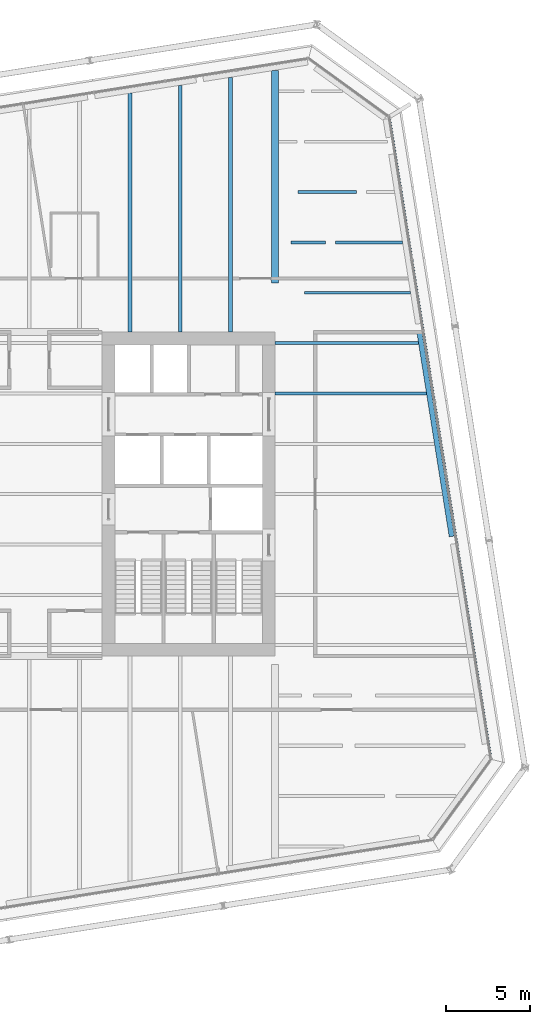
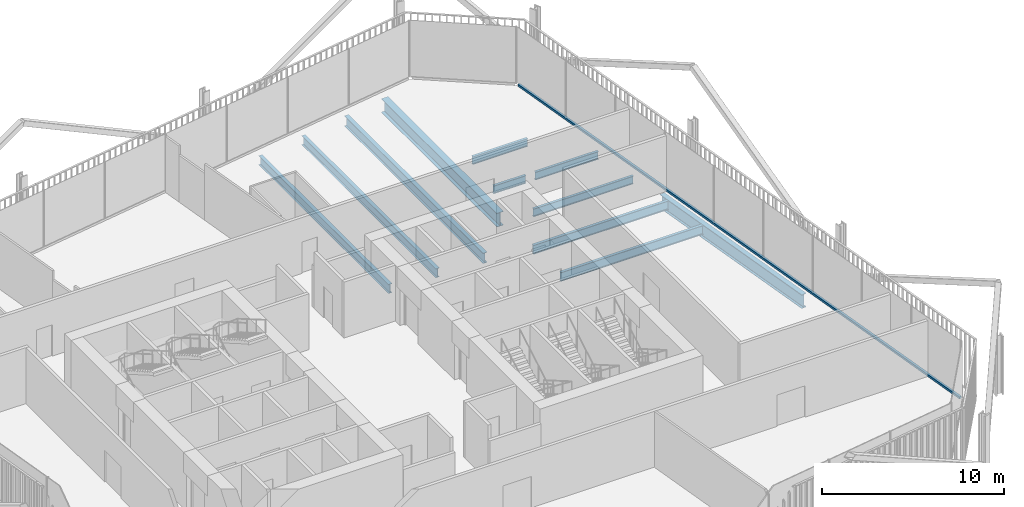
# One storey, part 11 of 19: 11 beams, 1 member, 1 element without a shape of its own.
"""IFC4 building model written with IfcOpenShell, lengths in metres."""

from ifc_helpers import new_model, si_unit, direction, frame, origin, origin_2d, place, context, subcontext, project, spatial, rectangle, i_section, extrude, material, layer, layer_set, material_profile, profile_set, type_object, element, aggregate, save


model = new_model("IFC4")

# Units and contexts
model_context = context("Model", 3, precision=1e-05, world=origin(), true_north=direction((0.0, 1.0)))
body_context = subcontext(model_context, "Body", "Model", "MODEL_VIEW")
ifc_project = project(units=[si_unit("LENGTHUNIT", "METRE"), si_unit("AREAUNIT", "SQUARE_METRE"), si_unit("VOLUMEUNIT", "CUBIC_METRE"), si_unit("PLANEANGLEUNIT", "RADIAN"), si_unit("MASSUNIT", "GRAM", prefix="KILO")], contexts=[model_context])

# Site, building, storey
site_placement = place(None, origin())
site = spatial("IfcSite", under=ifc_project, at=site_placement, CompositionType="ELEMENT")
building_placement = place(site_placement, origin())
building = spatial("IfcBuilding", under=site, at=building_placement, Name="Millrace Tower", CompositionType="ELEMENT")
storey_placement = place(building_placement, frame((0.0, 0.0, 129.5)))
storey = spatial("IfcBuildingStorey", under=building, at=storey_placement, Name="L28", CompositionType="ELEMENT", Elevation=129.5)

# Curtain wall, member
ifc_material_1 = material(Name="Aluminium and glass", Category="aluminium")
ifc_layer = layer(ifc_material_1, 0.14990234375)
ifc_layer_set = layer_set([ifc_layer], Name="Aluminium and glass")
curtain_wall_type = type_object("IfcCurtainWallType", Name="CW-1 office vision curtain wall", PredefinedType="NOTDEFINED", material=ifc_layer_set)
curtain_wall_placement = place(storey_placement, origin())
curtain_wall = element("IfcCurtainWall", 1, at=curtain_wall_placement, inside=storey, type_object=curtain_wall_type, Name="Curtain wall C-F04 L28", PredefinedType="NOTDEFINED")
ifc_material_2 = material(Name="Aluminium", Category="aluminium")
ifc_material_profile_1 = material_profile(ifc_material_2, rectangle(XDim=0.14990234375, YDim=0.139892578125, at=origin_2d()))
ifc_profile_set_1 = profile_set([ifc_material_profile_1], Name="Aluminium")
member_type = type_object("IfcMemberType", Name="CW-1 office vision curtain wall transom", PredefinedType="USERDEFINED", material=ifc_profile_set_1)
member_placement = place(storey_placement, frame((27.49609375, -15.675048828125, 0.070068359375), z_axis=(-0.156434402447, 0.987688350509, 0.0), x_axis=(-0.987688350509, -0.156434402447, 0.0)))
member = element("IfcMember", 2, at=member_placement, type_object=member_type, Name="CW1 transom C-F04.1", ObjectType="TRANSOM", PredefinedType="USERDEFINED", context=body_context, shape_type="SweptSolid", body=[
    extrude(rectangle(XDim=0.14990234375, YDim=0.139892578125, at=origin_2d()), origin(), (0.0, 0.0, 1.0), 38.499755859375),
])
aggregate(curtain_wall, [member])

# Beams
ifc_material_3 = material(Name="Steel ASTM A992 Grade 50", Category="steel")
ifc_material_profile_2 = material_profile(ifc_material_3, i_section(OverallWidth=0.1650390625, OverallDepth=0.52587890625, WebThickness=0.0087890625, FlangeThickness=0.011474609375, FilletRadius=0.0126953125, at=origin_2d()))
ifc_profile_set_2 = profile_set([ifc_material_profile_2], Name="Steel ASTM A992 Grade 50")
beam_type_1 = type_object("IfcBeamType", Name="Floor beam W21x44", PredefinedType="JOIST", material=ifc_profile_set_2)
beam_1_placement = place(storey_placement, frame((16.399169921875, 12.0, -0.4228515625), z_axis=(1.0, 0.0, 0.0), x_axis=(0.0, 1.0, 0.0)))
element("IfcBeam", 3, at=beam_1_placement, inside=storey, type_object=beam_type_1, Name="BM-C-L28-S1-S032", PredefinedType="JOIST", context=body_context, shape_type="SweptSolid", body=[
    extrude(i_section(OverallWidth=0.1650390625, OverallDepth=0.52587890625, WebThickness=0.0087890625, FlangeThickness=0.011474609375, FilletRadius=0.0126953125, at=origin_2d()), origin(), (0.0, 0.0, 1.0), 6.32666015625),
])
beam_2_placement = place(storey_placement, frame((18.248291015625, 15.0, -0.4228515625), z_axis=(1.0, 0.0, 0.0), x_axis=(0.0, 1.0, 0.0)))
element("IfcBeam", 4, at=beam_2_placement, inside=storey, type_object=beam_type_1, Name="BM-C-L28-S1-S034-b", PredefinedType="JOIST", context=body_context, shape_type="SweptSolid", body=[
    extrude(i_section(OverallWidth=0.1650390625, OverallDepth=0.52587890625, WebThickness=0.0087890625, FlangeThickness=0.011474609375, FilletRadius=0.0126953125, at=origin_2d()), origin(), (0.0, 0.0, 1.0), 4.002197265625),
])
beam_3_placement = place(storey_placement, frame((15.6005859375, 15.0, -0.4228515625), z_axis=(1.0, 0.0, 0.0), x_axis=(0.0, 1.0, 0.0)))
element("IfcBeam", 5, at=beam_3_placement, inside=storey, type_object=beam_type_1, Name="BM-C-L28-S1-S034-a", PredefinedType="JOIST", context=body_context, shape_type="SweptSolid", body=[
    extrude(i_section(OverallWidth=0.1650390625, OverallDepth=0.52587890625, WebThickness=0.0087890625, FlangeThickness=0.011474609375, FilletRadius=0.0126953125, at=origin_2d()), origin(), (0.0, 0.0, 1.0), 2.04638671875),
])
beam_4_placement = place(storey_placement, frame((16.008056640625, 18.0, -0.4228515625), z_axis=(1.0, 0.0, 0.0), x_axis=(0.0, 1.0, 0.0)))
element("IfcBeam", 6, at=beam_4_placement, inside=storey, type_object=beam_type_1, Name="BM-C-L28-S1-S036-a", PredefinedType="JOIST", context=body_context, shape_type="SweptSolid", body=[
    extrude(i_section(OverallWidth=0.1650390625, OverallDepth=0.52587890625, WebThickness=0.0087890625, FlangeThickness=0.011474609375, FilletRadius=0.0126953125, at=origin_2d()), origin(), (0.0, 0.0, 1.0), 3.488037109375),
])
ifc_material_4 = material(Name="Steel ASTM A992 Grade 50", Category="steel")
ifc_material_profile_3 = material_profile(ifc_material_4, i_section(OverallWidth=0.177978515625, OverallDepth=0.599365234375, WebThickness=0.010009765625, FlangeThickness=0.012939453125, FilletRadius=0.012939453125, at=origin_2d()))
ifc_profile_set_3 = profile_set([ifc_material_profile_3], Name="Steel ASTM A992 Grade 50")
beam_type_2 = type_object("IfcBeamType", Name="Floor beam W24x55", PredefinedType="JOIST", material=ifc_profile_set_3)
beam_5_placement = place(storey_placement, frame((14.64990234375, 6.0, -0.459716796875), z_axis=(1.0, 0.0, 0.0), x_axis=(0.0, 1.0, 0.0)))
element("IfcBeam", 7, at=beam_5_placement, inside=storey, type_object=beam_type_2, Name="BM-C-L28-S1-S027", PredefinedType="JOIST", context=body_context, shape_type="SweptSolid", body=[
    extrude(i_section(OverallWidth=0.177978515625, OverallDepth=0.599365234375, WebThickness=0.010009765625, FlangeThickness=0.012939453125, FilletRadius=0.012939453125, at=origin_2d()), origin(), (0.0, 0.0, 1.0), 9.026123046875),
])
beam_6_placement = place(storey_placement, frame((14.64990234375, 9.0, -0.459716796875), z_axis=(1.0, 0.0, 0.0), x_axis=(0.0, 1.0, 0.0)))
element("IfcBeam", 8, at=beam_6_placement, inside=storey, type_object=beam_type_2, Name="BM-C-L28-S1-S030", PredefinedType="JOIST", context=body_context, shape_type="SweptSolid", body=[
    extrude(i_section(OverallWidth=0.177978515625, OverallDepth=0.599365234375, WebThickness=0.010009765625, FlangeThickness=0.012939453125, FilletRadius=0.012939453125, at=origin_2d()), origin(), (0.0, 0.0, 1.0), 8.551025390625),
])
ifc_material_5 = material(Name="Steel ASTM A992 Grade 50", Category="steel")
ifc_material_profile_4 = material_profile(ifc_material_5, i_section(OverallWidth=0.228271484375, OverallDepth=0.607177734375, WebThickness=0.01123046875, FlangeThickness=0.017333984375, FilletRadius=0.0126953125, at=origin_2d()))
ifc_profile_set_4 = profile_set([ifc_material_profile_4], Name="Steel ASTM A992 Grade 50")
beam_type_3 = type_object("IfcBeamType", Name="Floor beam W24x76", PredefinedType="JOIST", material=ifc_profile_set_4)
beam_7_placement = place(storey_placement, frame((6.0, 9.64990234375, -0.463623046875), z_axis=(0.0, 1.0, 0.0), x_axis=(-1.0, 0.0, 0.0)))
element("IfcBeam", 9, at=beam_7_placement, inside=storey, type_object=beam_type_3, Name="BM-C-L28-S1-S051", PredefinedType="JOIST", context=body_context, shape_type="SweptSolid", body=[
    extrude(i_section(OverallWidth=0.228271484375, OverallDepth=0.607177734375, WebThickness=0.01123046875, FlangeThickness=0.017333984375, FilletRadius=0.0126953125, at=origin_2d()), origin(), (0.0, 0.0, 1.0), 14.2421875),
])
beam_8_placement = place(storey_placement, frame((9.0, 9.64990234375, -0.463623046875), z_axis=(0.0, 1.0, 0.0), x_axis=(-1.0, 0.0, 0.0)))
element("IfcBeam", 10, at=beam_8_placement, inside=storey, type_object=beam_type_3, Name="BM-C-L28-S1-S053", PredefinedType="JOIST", context=body_context, shape_type="SweptSolid", body=[
    extrude(i_section(OverallWidth=0.228271484375, OverallDepth=0.607177734375, WebThickness=0.01123046875, FlangeThickness=0.017333984375, FilletRadius=0.0126953125, at=origin_2d()), origin(), (0.0, 0.0, 1.0), 14.71728515625),
])
ifc_material_6 = material(Name="Steel ASTM A992 Grade 50", Category="steel")
ifc_material_profile_5 = material_profile(ifc_material_6, i_section(OverallWidth=0.256591796875, OverallDepth=0.693359375, WebThickness=0.014404296875, FlangeThickness=0.023681640625, FilletRadius=0.01513671875, at=origin_2d()))
ifc_profile_set_5 = profile_set([ifc_material_profile_5], Name="Steel ASTM A992 Grade 50")
beam_type_4 = type_object("IfcBeamType", Name="Floor beam W27x114", PredefinedType="JOIST", material=ifc_profile_set_5)
beam_9_placement = place(storey_placement, frame((12.0, 9.64990234375, -0.506591796875), z_axis=(0.0, 1.0, 0.0), x_axis=(-1.0, 0.0, 0.0)))
element("IfcBeam", 11, at=beam_9_placement, inside=storey, type_object=beam_type_4, Name="BM-C-L28-S1-S055", PredefinedType="JOIST", context=body_context, shape_type="SweptSolid", body=[
    extrude(i_section(OverallWidth=0.256591796875, OverallDepth=0.693359375, WebThickness=0.014404296875, FlangeThickness=0.023681640625, FilletRadius=0.01513671875, at=origin_2d()), origin(), (0.0, 0.0, 1.0), 15.1923828125),
])
ifc_material_7 = material(Name="Steel ASTM A992 Grade 50", Category="steel")
ifc_material_profile_6 = material_profile(ifc_material_7, i_section(OverallWidth=0.419189453125, OverallDepth=0.927001953125, WebThickness=0.019287109375, FlangeThickness=0.031982421875, FilletRadius=0.024169921875, at=origin_2d()))
ifc_profile_set_6 = profile_set([ifc_material_profile_6], Name="Steel ASTM A992 Grade 50")
beam_type_5 = type_object("IfcBeamType", Name="Girder medium span W36x231", PredefinedType="BEAM", material=ifc_profile_set_6)
beam_10_placement = place(storey_placement, frame((14.64990234375, 12.58056640625, -0.62353515625), z_axis=(0.0, 1.0, 0.0), x_axis=(-1.0, 0.0, 0.0)))
element("IfcBeam", 12, at=beam_10_placement, inside=storey, type_object=beam_type_5, Name="BM-C-L28-S1-G059", PredefinedType="BEAM", context=body_context, shape_type="SweptSolid", body=[
    extrude(i_section(OverallWidth=0.419189453125, OverallDepth=0.927001953125, WebThickness=0.019287109375, FlangeThickness=0.031982421875, FilletRadius=0.024169921875, at=origin_2d()), origin(), (0.0, 0.0, 1.0), 12.673583984375),
])
ifc_material_8 = material(Name="Steel ASTM A992 Grade 50", Category="steel")
ifc_material_profile_7 = material_profile(ifc_material_8, i_section(OverallWidth=0.307373046875, OverallDepth=0.927001953125, WebThickness=0.01953125, FlangeThickness=0.031982421875, FilletRadius=0.01904296875, at=origin_2d()))
ifc_profile_set_7 = profile_set([ifc_material_profile_7], Name="Steel ASTM A992 Grade 50")
beam_type_6 = type_object("IfcBeamType", Name="Ring beam medium span W36x194", PredefinedType="SPANDREL", material=ifc_profile_set_7)
beam_11_placement = place(storey_placement, frame((23.244873046875, 9.704345703125, -0.62353515625), z_axis=(0.156435572125, -0.987688165249, 0.0), x_axis=(0.987688165249, 0.156435572125, 0.0)))
element("IfcBeam", 13, at=beam_11_placement, inside=storey, type_object=beam_type_6, Name="RNG-C-L28-S1-10", PredefinedType="SPANDREL", context=body_context, shape_type="SweptSolid", body=[
    extrude(i_section(OverallWidth=0.307373046875, OverallDepth=0.927001953125, WebThickness=0.01953125, FlangeThickness=0.031982421875, FilletRadius=0.01904296875, at=origin_2d()), origin(), (0.0, 0.0, 1.0), 12.37744140625),
])

save(model, "model.ifc")
